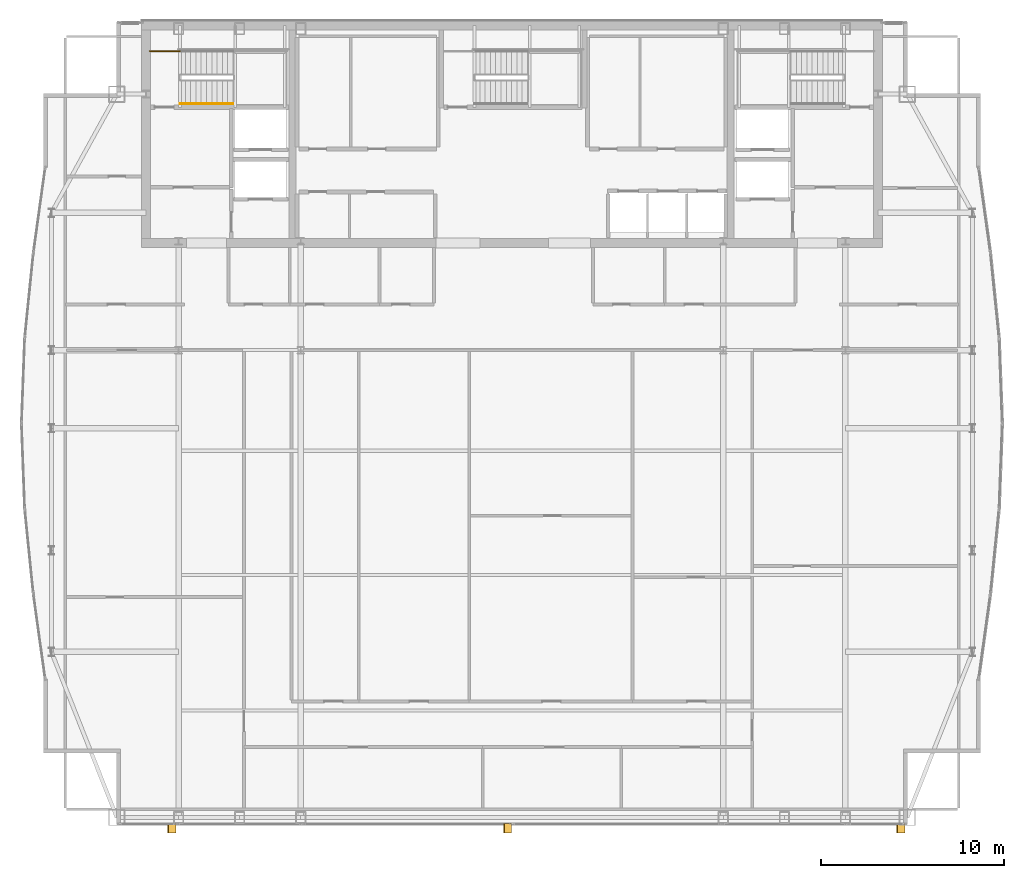
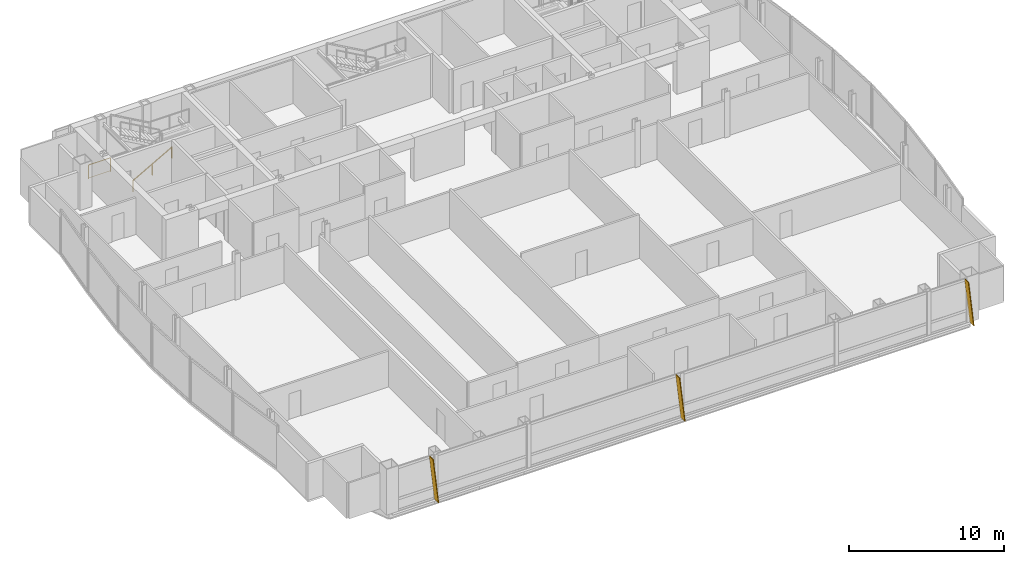
# One storey, part 25 of 26: 3 shading devices, 2 railings.
"""IFC4 building model written with IfcOpenShell, lengths in metres."""

from ifc_helpers import new_model, si_unit, direction, frame, origin, origin_2d, place, context, subcontext, project, spatial, polyline, rectangle, outline, extrude, material, layer, layer_set, type_object, element, save


model = new_model("IFC4")

# Units and contexts
model_context = context("Model", 3, precision=1e-05, world=origin(), true_north=direction((0.0, 1.0)))
body_context = subcontext(model_context, "Body", "Model", "MODEL_VIEW")
ifc_project = project(units=[si_unit("LENGTHUNIT", "METRE"), si_unit("AREAUNIT", "SQUARE_METRE"), si_unit("VOLUMEUNIT", "CUBIC_METRE"), si_unit("PLANEANGLEUNIT", "RADIAN"), si_unit("MASSUNIT", "GRAM", prefix="KILO")], contexts=[model_context])

# Site, building, storey
site_placement = place(None, origin())
site = spatial("IfcSite", under=ifc_project, at=site_placement, CompositionType="ELEMENT")
building_placement = place(site_placement, origin())
building = spatial("IfcBuilding", under=site, at=building_placement, Name="Khoronbel Lancet Exchange", CompositionType="ELEMENT")
storey_placement = place(building_placement, frame((0.0, 0.0, 339.800048828125)))
storey = spatial("IfcBuildingStorey", under=building, at=storey_placement, Name="L88", CompositionType="ELEMENT", Elevation=339.800048828125)

# Railings
ifc_material_1 = material(Name="Painted Steel Balustrade", Category="steel")
railing_type_1 = type_object("IfcRailingType", Name="RL-STG110", PredefinedType="GUARDRAIL", material=ifc_material_1)
railing_1_placement = place(storey_placement, frame((16.64990234375, 52.050048828125, 0.0)))
element("IfcRailing", 1, at=railing_1_placement, inside=storey, type_object=railing_type_1, Name="L88 ST1 stair guard 6", PredefinedType="GUARDRAIL", context=body_context, shape_type="SweptSolid", body=[
    extrude(rectangle(XDim=0.048095703125, YDim=0.048095703125, at=origin_2d()), frame((0.0, 0.0, 1.09619140625), z_axis=(1.0, 0.0, 0.0), x_axis=(0.0, 1.0, 0.0)), (0.0, 0.0, 1.0), 1.650146484375),
    extrude(rectangle(XDim=0.02392578125, YDim=0.02392578125, at=origin_2d()), frame((0.0, 0.0, 0.080078125), z_axis=(1.0, 0.0, 0.0), x_axis=(0.0, 1.0, 0.0)), (0.0, 0.0, 1.0), 1.650146484375),
    extrude(rectangle(XDim=0.0419921875, YDim=0.0419921875, at=origin_2d()), origin(), (0.0, 0.0, 1.0), 1.072021484375),
    extrude(rectangle(XDim=0.0419921875, YDim=0.0419921875, at=origin_2d()), frame((1.650146484375, 0.0, 0.0)), (0.0, 0.0, 1.0), 1.072021484375),
])
ifc_material_2 = material(Name="Brushed Stainless Steel 316", Category="steel")
railing_type_2 = type_object("IfcRailingType", Name="RL-STH92", PredefinedType="HANDRAIL", material=ifc_material_2)
railing_2_placement = place(storey_placement, frame((18.300048828125, 49.169921875, 0.16357421875)))
element("IfcRailing", 2, at=railing_2_placement, inside=storey, type_object=railing_type_2, Name="L88 ST1 stair handrail 1", PredefinedType="HANDRAIL", context=body_context, shape_type="SweptSolid", body=[
    extrude(rectangle(XDim=0.048095703125, YDim=0.048095703125, at=origin_2d()), frame((0.0, 0.0, 0.8759765625), z_axis=(0.870897200241, 0.0, 0.491465224214), x_axis=(0.0, 1.0, 0.0)), (0.0, 0.0, 1.0), 3.329833984375),
    extrude(rectangle(XDim=0.0419921875, YDim=0.0419921875, at=origin_2d()), origin(), (0.0, 0.0, 1.0), 0.851806640625),
    extrude(rectangle(XDim=0.0419921875, YDim=0.0419921875, at=origin_2d()), frame((1.449951171875, 0.0, 0.818359375)), (0.0, 0.0, 1.0), 0.851806640625),
    extrude(rectangle(XDim=0.0419921875, YDim=0.0419921875, at=origin_2d()), frame((2.89990234375, 0.0, 1.636474609375)), (0.0, 0.0, 1.0), 0.851806640625),
])

# Shading devices
ifc_material_3 = material(Name="Bronze-Anodised Aluminium 6063-T6", Category="aluminium")
ifc_layer = layer(ifc_material_3, 0.054931640625, Name="Bronze-Anodised Aluminium 6063-T6")
ifc_layer_set = layer_set([ifc_layer], Name="Bronze-Anodised Aluminium 6063-T6")
shading_device_type = type_object("IfcShadingDeviceType", Name="SHD-FIN1", PredefinedType="USERDEFINED", material=ifc_layer_set)
for number, where, z_axis, x_axis, name in (
    (3, (18.072509765625, 9.81005859375, -0.080078125), (0.993900347655, 0.0, 0.110281906632), (0.0, -1.0, 0.0), "Slanted bronze solar fin CW-L88-SWV-1"),
    (4, (36.422607421875, 9.81005859375, -0.080078125), (0.993900347655, 0.0, 0.110281906632), (0.0, -1.0, 0.0), "Slanted bronze solar fin CW-L88-SCV-1"),
    (5, (57.9326171875, 9.81005859375, -0.080078125), (0.993900347655, 0.0, 0.110281906632), (0.0, -1.0, 0.0), "Slanted bronze solar fin CW-L88-SEV-1"),
):
    element("IfcShadingDevice", number, at=place(storey_placement, frame(where, z_axis=z_axis, x_axis=x_axis)), inside=storey, type_object=shading_device_type, Name=name, ObjectType="FIN", PredefinedType="USERDEFINED", context=body_context, shape_type="SweptSolid", body=[
        extrude(outline(polyline([(0.0, 0.0), (0.52001953125, 0.0), (0.52001953125, -3.581787109375), (0.0, -3.581787109375), (0.0, 0.0)])), origin(), (0.0, 0.0, -1.0), 0.054931640625),
    ])

save(model, "model.ifc")
